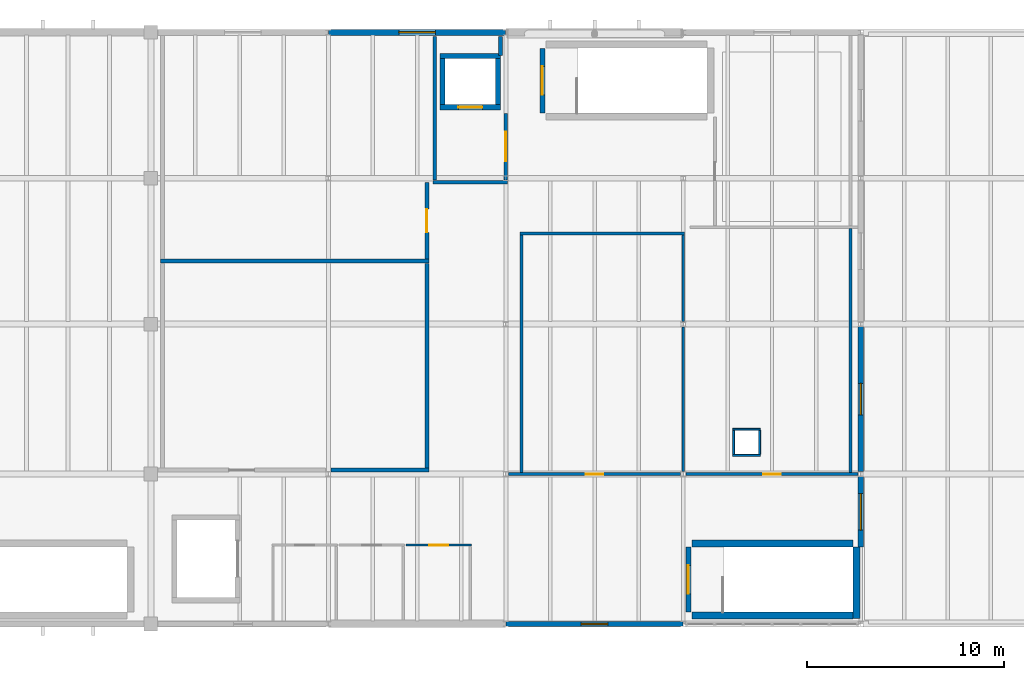
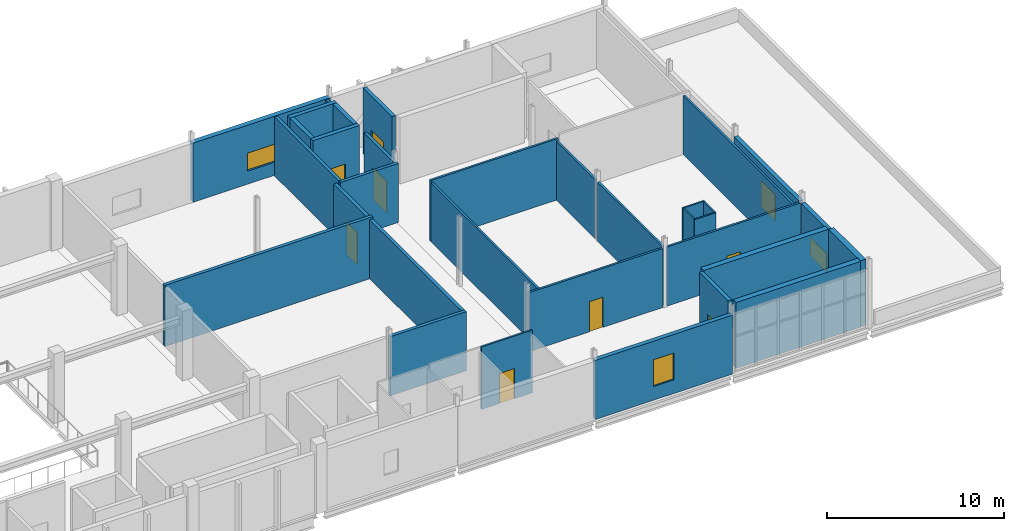
# One storey, part 12 of 14: 33 walls, 8 doors, 4 windows, 12 openings.
"""IFC4 building model written with IfcOpenShell, lengths in metres."""

from ifc_helpers import new_model, si_unit, direction, frame, frame_2d, origin, place, context, subcontext, project, spatial, rectangle, extrude, material, layer, layer_set, type_object, element, fill, save


model = new_model("IFC4")

# Units and contexts
model_context = context("Model", 3, precision=1e-05, world=origin(), true_north=direction((0.0, 1.0)))
body_context = subcontext(model_context, "Body", "Model", "MODEL_VIEW")
ifc_project = project(units=[si_unit("LENGTHUNIT", "METRE"), si_unit("AREAUNIT", "SQUARE_METRE"), si_unit("VOLUMEUNIT", "CUBIC_METRE"), si_unit("PLANEANGLEUNIT", "RADIAN"), si_unit("MASSUNIT", "GRAM", prefix="KILO")], contexts=[model_context])

# Site, building, storey
site_placement = place(None, origin())
site = spatial("IfcSite", under=ifc_project, at=site_placement, CompositionType="ELEMENT")
building_placement = place(site_placement, origin())
building = spatial("IfcBuilding", under=site, at=building_placement, Name="Shengluoqiao Park Theatre", CompositionType="ELEMENT")
storey_placement = place(building_placement, frame((0.0, 0.0, 23.800048828125)))
storey = spatial("IfcBuildingStorey", under=building, at=storey_placement, Name="L05", CompositionType="ELEMENT", Elevation=23.800048828125)

# Wall, opening, window
ifc_material_1 = material(Name="Concrete C40", Category="concrete")
ifc_layer_1 = layer(ifc_material_1, 0.27001953125, Name="Concrete C40")
ifc_layer_set_1 = layer_set([ifc_layer_1], Name="Concrete C40")
wall_type_1 = type_object("IfcWallType", Name="ENV-WL-CONC270", PredefinedType="STANDARD", material=ifc_layer_set_1)
wall_1_placement = place(storey_placement, frame((130.409912109375, 84.0, 0.0), z_axis=(0.0, 0.0, 1.0), x_axis=(1.0, 0.0, 0.0)))
wall_1 = element("IfcWall", 1, at=wall_1_placement, inside=storey, type_object=wall_type_1, Name="L05 Exterior Wall 0270", PredefinedType="STANDARD", context=body_context, shape_type="SweptSolid", body=[
    extrude(rectangle(XDim=8.97998046875, YDim=0.27001953125, at=frame_2d((4.489990234375, 0.0))), origin(), (0.0, 0.0, 1.0), 4.087890625),
])
opening_1_placement = place(wall_1_placement, frame((3.81494140625, 0.0, 0.949951171875)))
opening_1 = element("IfcOpeningElement", 2, at=opening_1_placement, cuts=wall_1, Name="Opening W-17", PredefinedType="OPENING", context=body_context, shape_type="SweptSolid", body=[
    extrude(rectangle(XDim=1.35009765625, YDim=1.85009765625, at=frame_2d((0.675048828125, 0.925048828125))), frame((0.0, 0.14501953125, 0.0), z_axis=(0.0, -1.0, 0.0), x_axis=(1.0, 0.0, 0.0)), (0.0, 0.0, 1.0), 0.2900390625),
])
ifc_material_2 = material(Name="Insulated glass", Category="glass")
window_type_1 = type_object("IfcWindowType", Name="ENV-WIN-W17", PartitioningType="SINGLE_PANEL", PredefinedType="WINDOW", material=ifc_material_2)
window_1_placement = place(opening_1_placement, origin())
window_1 = element("IfcWindow", 3, at=window_1_placement, inside=storey, type_object=window_type_1, Name="L05 Acoustic Window 0108", OverallHeight=1.85009765625, OverallWidth=1.35009765625, PartitioningType="SINGLE_PANEL", PredefinedType="WINDOW", context=body_context, shape_type="SweptSolid", body=[
    extrude(rectangle(XDim=1.35009765625, YDim=1.85009765625, at=frame_2d((0.675048828125, 0.925048828125))), frame((0.0, 0.030029296875, 0.0), z_axis=(0.0, -1.0, 0.0), x_axis=(1.0, 0.0, 0.0)), (0.0, 0.0, 1.0), 0.06005859375),
])
fill(opening_1, window_1)

wall_2_placement = place(storey_placement, frame((148.39990234375, 87.89990234375, 0.0), z_axis=(0.0, 0.0, 1.0), x_axis=(0.0, 1.0, 0.0)))
wall_2 = element("IfcWall", 4, at=wall_2_placement, inside=storey, type_object=wall_type_1, Name="L05 Exterior Wall 0271", PredefinedType="STANDARD", context=body_context, shape_type="SweptSolid", body=[
    extrude(rectangle(XDim=3.571044921875, YDim=0.27001953125, at=frame_2d((1.78564453125, 0.0))), origin(), (0.0, 0.0, 1.0), 4.087890625),
])
opening_2_placement = place(wall_2_placement, frame((0.860595703125, 0.0, 0.949951171875)))
opening_2 = element("IfcOpeningElement", 5, at=opening_2_placement, cuts=wall_2, Name="Opening W-11", PredefinedType="OPENING", context=body_context, shape_type="SweptSolid", body=[
    extrude(rectangle(XDim=1.85009765625, YDim=1.25, at=frame_2d((0.925048828125, 0.625))), frame((0.0, 0.14501953125, 0.0), z_axis=(0.0, -1.0, 0.0), x_axis=(1.0, 0.0, 0.0)), (0.0, 0.0, 1.0), 0.2900390625),
])
window_type_2 = type_object("IfcWindowType", Name="ENV-WIN-W11", PartitioningType="DOUBLE_PANEL_HORIZONTAL", PredefinedType="WINDOW", material=ifc_material_2)
window_2_placement = place(opening_2_placement, origin())
window_2 = element("IfcWindow", 6, at=window_2_placement, inside=storey, type_object=window_type_2, Name="L05 Acoustic Window 0109", OverallHeight=1.25, OverallWidth=1.85009765625, PartitioningType="DOUBLE_PANEL_HORIZONTAL", PredefinedType="WINDOW", context=body_context, shape_type="SweptSolid", body=[
    extrude(rectangle(XDim=1.85009765625, YDim=1.25, at=frame_2d((0.925048828125, 0.625))), frame((0.0, 0.030029296875, 0.0), z_axis=(0.0, -1.0, 0.0), x_axis=(1.0, 0.0, 0.0)), (0.0, 0.0, 1.0), 0.06005859375),
])
fill(opening_2, window_2)

wall_3_placement = place(storey_placement, frame((148.39990234375, 91.72900390625, 0.0), z_axis=(0.0, 0.0, 1.0), x_axis=(0.0, 1.0, 0.0)))
wall_3 = element("IfcWall", 7, at=wall_3_placement, inside=storey, type_object=wall_type_1, Name="L05 Exterior Wall 0272", PredefinedType="STANDARD", context=body_context, shape_type="SweptSolid", body=[
    extrude(rectangle(XDim=7.342041015625, YDim=0.27001953125, at=frame_2d((3.6708984375, 0.0))), origin(), (0.0, 0.0, 1.0), 4.087890625),
])
opening_3_placement = place(wall_3_placement, frame((2.87109375, 0.0, 0.949951171875)))
opening_3 = element("IfcOpeningElement", 8, at=opening_3_placement, cuts=wall_3, Name="Opening W-06", PredefinedType="OPENING", context=body_context, shape_type="SweptSolid", body=[
    extrude(rectangle(XDim=1.60009765625, YDim=1.800048828125, at=frame_2d((0.800048828125, 0.89990234375))), frame((0.0, 0.14501953125, 0.0), z_axis=(0.0, -1.0, 0.0), x_axis=(1.0, 0.0, 0.0)), (0.0, 0.0, 1.0), 0.2900390625),
])
window_type_3 = type_object("IfcWindowType", Name="ENV-WIN-W06", PartitioningType="DOUBLE_PANEL_VERTICAL", PredefinedType="WINDOW", material=ifc_material_2)
window_3_placement = place(opening_3_placement, origin())
window_3 = element("IfcWindow", 9, at=window_3_placement, inside=storey, type_object=window_type_3, Name="L05 Acoustic Window 0110", OverallHeight=1.800048828125, OverallWidth=1.60009765625, PartitioningType="DOUBLE_PANEL_VERTICAL", PredefinedType="WINDOW", context=body_context, shape_type="SweptSolid", body=[
    extrude(rectangle(XDim=1.60009765625, YDim=1.800048828125, at=frame_2d((0.800048828125, 0.89990234375))), frame((0.0, 0.030029296875, 0.0), z_axis=(0.0, -1.0, 0.0), x_axis=(1.0, 0.0, 0.0)), (0.0, 0.0, 1.0), 0.06005859375),
])
fill(opening_3, window_3)

ifc_layer_2 = layer(ifc_material_1, 0.31005859375, Name="Concrete C40")
ifc_layer_set_2 = layer_set([ifc_layer_2], Name="Concrete C40")
wall_type_2 = type_object("IfcWallType", Name="ENV-WL-CONC310", PredefinedType="STANDARD", material=ifc_layer_set_2)
wall_4_placement = place(storey_placement, frame((121.409912109375, 114.0, 0.0), z_axis=(0.0, 0.0, 1.0), x_axis=(1.0, 0.0, 0.0)))
wall_4 = element("IfcWall", 10, at=wall_4_placement, inside=storey, type_object=wall_type_2, Name="L05 Exterior Wall 0265", PredefinedType="STANDARD", context=body_context, shape_type="SweptSolid", body=[
    extrude(rectangle(XDim=8.97998046875, YDim=0.31005859375, at=frame_2d((4.489990234375, 0.0))), origin(), (0.0, 0.0, 1.0), 4.087890625),
])
opening_4_placement = place(wall_4_placement, frame((3.56494140625, 0.0, 0.89990234375)))
opening_4 = element("IfcOpeningElement", 11, at=opening_4_placement, cuts=wall_4, Name="Opening W-11", PredefinedType="OPENING", context=body_context, shape_type="SweptSolid", body=[
    extrude(rectangle(XDim=1.85009765625, YDim=1.25, at=frame_2d((0.925048828125, 0.625))), frame((0.0, 0.1650390625, 0.0), z_axis=(0.0, -1.0, 0.0), x_axis=(1.0, 0.0, 0.0)), (0.0, 0.0, 1.0), 0.330078125),
])
window_4_placement = place(opening_4_placement, origin())
window_4 = element("IfcWindow", 12, at=window_4_placement, inside=storey, type_object=window_type_2, Name="L05 Acoustic Window 0105", OverallHeight=1.25, OverallWidth=1.85009765625, PartitioningType="DOUBLE_PANEL_HORIZONTAL", PredefinedType="WINDOW", context=body_context, shape_type="SweptSolid", body=[
    extrude(rectangle(XDim=1.85009765625, YDim=1.25, at=frame_2d((0.925048828125, 0.625))), frame((0.0, 0.030029296875, 0.0), z_axis=(0.0, -1.0, 0.0), x_axis=(1.0, 0.0, 0.0)), (0.0, 0.0, 1.0), 0.06005859375),
])
fill(opening_4, window_4)

# Walls
ifc_material_3 = material(Name="Concrete blockwork B06", Category="masonry")
ifc_layer_3 = layer(ifc_material_3, 0.2099609375, Name="Concrete blockwork B06")
ifc_layer_set_3 = layer_set([ifc_layer_3], Name="Concrete blockwork B06")
wall_type_3 = type_object("IfcWallType", Name="INT-WL-CMP210", PredefinedType="PARTITIONING", material=ifc_layer_set_3)
wall_5_placement = place(storey_placement, frame((121.531005859375, 91.800048828125, 0.0), z_axis=(0.0, 0.0, 1.0), x_axis=(1.0, 0.0, 0.0)))
element("IfcWall", 13, at=wall_5_placement, inside=storey, type_object=wall_type_3, Name="Repertory Costume and Prop Archive Partition S", PredefinedType="PARTITIONING", context=body_context, shape_type="SweptSolid", body=[
    extrude(rectangle(XDim=4.973876953125, YDim=0.2099609375, at=frame_2d((2.48681640625, 0.0))), origin(), (0.0, 0.0, 1.0), 4.087890625),
])
wall_6_placement = place(storey_placement, frame((112.89501953125, 102.39990234375, 0.0), z_axis=(0.0, 0.0, 1.0), x_axis=(1.0, 0.0, 0.0)))
element("IfcWall", 14, at=wall_6_placement, inside=storey, type_object=wall_type_3, Name="Repertory Costume and Prop Archive Partition N", PredefinedType="PARTITIONING", context=body_context, shape_type="SweptSolid", body=[
    extrude(rectangle(XDim=13.60986328125, YDim=0.2099609375, at=frame_2d((6.804931640625, 0.0))), origin(), (0.0, 0.0, 1.0), 4.23388671875),
])
wall_7_placement = place(storey_placement, frame((126.39990234375, 91.910888671875, 0.0), z_axis=(0.0, 0.0, 1.0), x_axis=(0.0, 1.0, 0.0)))
element("IfcWall", 15, at=wall_7_placement, inside=storey, type_object=wall_type_3, Name="Repertory Costume and Prop Archive Partition E", PredefinedType="PARTITIONING", context=body_context, shape_type="SweptSolid", body=[
    extrude(rectangle(XDim=10.378173828125, YDim=0.2099609375, at=frame_2d((5.18896484375, 0.0))), origin(), (0.0, 0.0, 1.0), 4.087890625),
])

# Wall, opening, door
wall_8_placement = place(storey_placement, frame((126.39990234375, 102.512939453125, 0.0), z_axis=(0.0, 0.0, 1.0), x_axis=(0.0, 1.0, 0.0)))
wall_8 = element("IfcWall", 16, at=wall_8_placement, inside=storey, type_object=wall_type_3, Name="Acoustic Displacement Ventilation Plant Room Partition E", PredefinedType="PARTITIONING", context=body_context, shape_type="SweptSolid", body=[
    extrude(rectangle(XDim=3.87451171875, YDim=0.2099609375, at=frame_2d((1.937255859375, 0.0))), origin(), (0.0, 0.0, 1.0), 4.087890625),
])
opening_5_placement = place(wall_8_placement, frame((1.34716796875, 0.0, 0.0)))
opening_5 = element("IfcOpeningElement", 17, at=opening_5_placement, cuts=wall_8, Name="Opening D-L05-110", PredefinedType="OPENING", context=body_context, shape_type="SweptSolid", body=[
    extrude(rectangle(XDim=1.179931640625, YDim=2.219970703125, at=frame_2d((0.58984375, 1.10986328125))), frame((0.0, 0.114990234375, 0.0), z_axis=(0.0, -1.0, 0.0), x_axis=(1.0, 0.0, 0.0)), (0.0, 0.0, 1.0), 0.22998046875),
])
ifc_material_4 = material(Name="Steel Q355", Category="steel")
door_type_1 = type_object("IfcDoorType", Name="INT-DR-PLT118", OperationType="NOTDEFINED", PredefinedType="DOOR", material=ifc_material_4)
door_1_placement = place(opening_5_placement, origin())
door_1 = element("IfcDoor", 18, at=door_1_placement, inside=storey, type_object=door_type_1, Name="Acoustic Displacement Ventilation Plant Room Door D-L05-110", OperationType="SINGLE_SWING_LEFT", OverallHeight=2.219970703125, OverallWidth=1.179931640625, PredefinedType="DOOR", context=body_context, shape_type="SweptSolid", body=[
    extrude(rectangle(XDim=1.179931640625, YDim=2.219970703125, at=frame_2d((0.58984375, 1.10986328125))), frame((0.0, 0.02490234375, 0.0), z_axis=(0.0, -1.0, 0.0), x_axis=(1.0, 0.0, 0.0)), (0.0, 0.0, 1.0), 0.050048828125),
])
fill(opening_5, door_1)

# Walls
ifc_layer_4 = layer(ifc_material_3, 0.195068359375, Name="Concrete blockwork B06")
ifc_layer_set_4 = layer_set([ifc_layer_4], Name="Concrete blockwork B06")
wall_type_4 = type_object("IfcWallType", Name="INT-WL-FFL195", PredefinedType="PARTITIONING", material=ifc_layer_set_4)
wall_9_placement = place(storey_placement, frame((126.800048828125, 106.5048828125, 0.0), z_axis=(0.0, 0.0, 1.0), x_axis=(0.0, 1.0, 0.0)))
element("IfcWall", 19, at=wall_9_placement, inside=storey, type_object=wall_type_4, Name="L05 Firefighting Lift Lobby FF2 Fire Wall W", PredefinedType="PARTITIONING", context=body_context, shape_type="SweptSolid", body=[
    extrude(rectangle(XDim=7.275146484375, YDim=0.195068359375, at=frame_2d((3.6376953125, 0.0))), origin(), (0.0, 0.0, 1.0), 4.087890625),
])
wall_10_placement = place(storey_placement, frame((126.7099609375, 106.39990234375, 0.0), z_axis=(0.0, 0.0, 1.0), x_axis=(1.0, 0.0, 0.0)))
element("IfcWall", 20, at=wall_10_placement, inside=storey, type_object=wall_type_4, Name="L05 Firefighting Lift Lobby FF2 Fire Wall S", PredefinedType="PARTITIONING", context=body_context, shape_type="SweptSolid", body=[
    extrude(rectangle(XDim=3.780029296875, YDim=0.195068359375, at=frame_2d((1.89013671875, 0.0))), origin(), (0.0, 0.0, 1.0), 4.087890625),
])

# Wall, opening, door
wall_11_placement = place(storey_placement, frame((130.39990234375, 106.5048828125, 0.0), z_axis=(0.0, 0.0, 1.0), x_axis=(0.0, 1.0, 0.0)))
wall_11 = element("IfcWall", 21, at=wall_11_placement, inside=storey, type_object=wall_type_4, Name="L05 Firefighting Lift Lobby FF2 Fire Wall E", PredefinedType="PARTITIONING", context=body_context, shape_type="SweptSolid", body=[
    extrude(rectangle(XDim=3.39013671875, YDim=0.195068359375, at=frame_2d((1.695068359375, 0.0))), origin(), (0.0, 0.0, 1.0), 4.087890625),
])
opening_6_placement = place(wall_11_placement, frame((0.945068359375, 0.0, 0.0)))
opening_6 = element("IfcOpeningElement", 22, at=opening_6_placement, cuts=wall_11, Name="Opening FD-FFL-2-L05", PredefinedType="OPENING", context=body_context, shape_type="SweptSolid", body=[
    extrude(rectangle(XDim=1.5, YDim=2.199951171875, at=frame_2d((0.75, 1.10009765625))), frame((0.0, 0.107421875, 0.0), z_axis=(0.0, -1.0, 0.0), x_axis=(1.0, 0.0, 0.0)), (0.0, 0.0, 1.0), 0.215087890625),
])
door_type_2 = type_object("IfcDoorType", Name="INT-DR-FFL150", OperationType="DOUBLE_DOOR_SINGLE_SWING", PredefinedType="DOOR", material=ifc_material_4)
door_2_placement = place(opening_6_placement, origin())
door_2 = element("IfcDoor", 23, at=door_2_placement, inside=storey, type_object=door_type_2, Name="L05 Firefighting Lift Lobby FF2 Fire Door FD-FFL-2-L05", OperationType="DOUBLE_DOOR_SINGLE_SWING", OverallHeight=2.199951171875, OverallWidth=1.5, PredefinedType="DOOR", context=body_context, shape_type="SweptSolid", body=[
    extrude(rectangle(XDim=1.5, YDim=2.199951171875, at=frame_2d((0.75, 1.10009765625))), frame((0.0, 0.02490234375, 0.0), z_axis=(0.0, -1.0, 0.0), x_axis=(1.0, 0.0, 0.0)), (0.0, 0.0, 1.0), 0.050048828125),
])
fill(opening_6, door_2)

# Walls
wall_12_placement = place(storey_placement, frame((130.139892578125, 112.820068359375, 0.0), z_axis=(0.0, 0.0, 1.0), x_axis=(0.0, 1.0, 0.0)))
element("IfcWall", 24, at=wall_12_placement, inside=storey, type_object=wall_type_4, Name="L05 Firefighting Lift Lobby FF2 Fire Wall N", PredefinedType="PARTITIONING", context=body_context, shape_type="SweptSolid", body=[
    extrude(rectangle(XDim=0.9599609375, YDim=0.195068359375, at=frame_2d((0.47998046875, 0.0))), origin(), (0.0, 0.0, 1.0), 4.087890625),
])
ifc_material_5 = material(Name="Gypsum shaftwall", Category="gypsum")
ifc_layer_5 = layer(ifc_material_5, 0.094970703125, Name="Gypsum shaftwall")
ifc_layer_set_5 = layer_set([ifc_layer_5], Name="Gypsum shaftwall")
wall_type_5 = type_object("IfcWallType", Name="INT-WL-RSR095", PredefinedType="PARTITIONING", material=ifc_layer_set_5)
for number, where, z_axis, x_axis, name in (
    (25, (141.905029296875, 92.550048828125, 0.0), (0.0, 0.0, 1.0), (1.0, 0.0, 0.0), "L05 Service Riser Shaftwall 181"),
    (26, (141.905029296875, 93.8701171875, 0.0), (0.0, 0.0, 1.0), (1.0, 0.0, 0.0), "L05 Service Riser Shaftwall 182"),
):
    element("IfcWall", number, at=place(storey_placement, frame(where, z_axis=z_axis, x_axis=x_axis)), inside=storey, type_object=wall_type_5, Name=name, PredefinedType="PARTITIONING", context=body_context, shape_type="SweptSolid", body=[
        extrude(rectangle(XDim=1.409912109375, YDim=0.094970703125, at=frame_2d((0.705078125, 0.0))), origin(), (0.0, 0.0, 1.0), 4.56005859375),
    ])
for number, where, z_axis, x_axis, name in (
    (27, (141.949951171875, 92.60498046875, 0.0), (0.0, 0.0, 1.0), (0.0, 1.0, 0.0), "L05 Service Riser Shaftwall 183"),
    (28, (143.27001953125, 92.60498046875, 0.0), (0.0, 0.0, 1.0), (0.0, 1.0, 0.0), "L05 Service Riser Shaftwall 184"),
):
    element("IfcWall", number, at=place(storey_placement, frame(where, z_axis=z_axis, x_axis=x_axis)), inside=storey, type_object=wall_type_5, Name=name, PredefinedType="PARTITIONING", context=body_context, shape_type="SweptSolid", body=[
        extrude(rectangle(XDim=1.2099609375, YDim=0.094970703125, at=frame_2d((0.60498046875, 0.0))), origin(), (0.0, 0.0, 1.0), 4.56005859375),
    ])

# Wall, opening, door
ifc_layer_6 = layer(ifc_material_1, 0.260009765625, Name="Concrete C40")
ifc_layer_set_6 = layer_set([ifc_layer_6], Name="Concrete C40")
wall_type_6 = type_object("IfcWallType", Name="INT-WL-SHF260", PredefinedType="STANDARD", material=ifc_layer_set_6)
wall_13_placement = place(storey_placement, frame((127.070068359375, 110.199951171875, 0.0), z_axis=(0.0, 0.0, 1.0), x_axis=(1.0, 0.0, 0.0)))
wall_13 = element("IfcWall", 29, at=wall_13_placement, inside=storey, type_object=wall_type_6, Name="L05 FF2 Lift Shaft Wall South", PredefinedType="STANDARD", context=body_context, shape_type="SweptSolid", body=[
    extrude(rectangle(XDim=3.059814453125, YDim=0.260009765625, at=frame_2d((1.52978515625, 0.0))), origin(), (0.0, 0.0, 1.0), 4.56005859375),
])
opening_7_placement = place(wall_13_placement, frame((0.919921875, 0.0, 0.0)))
opening_7 = element("IfcOpeningElement", 30, at=opening_7_placement, cuts=wall_13, Name="Opening LD-FF2-L05", PredefinedType="OPENING", context=body_context, shape_type="SweptSolid", body=[
    extrude(rectangle(XDim=1.219970703125, YDim=2.199951171875, at=frame_2d((0.60986328125, 1.10009765625))), frame((0.0, 0.139892578125, 0.0), z_axis=(0.0, -1.0, 0.0), x_axis=(1.0, 0.0, 0.0)), (0.0, 0.0, 1.0), 0.280029296875),
])
ifc_material_6 = material(Name="Stainless steel 304", Category="steel")
door_type_3 = type_object("IfcDoorType", Name="INT-DR-LD122", OperationType="SLIDING_TO_RIGHT", PredefinedType="DOOR", material=ifc_material_6)
door_3_placement = place(opening_7_placement, origin())
door_3 = element("IfcDoor", 31, at=door_3_placement, inside=storey, type_object=door_type_3, Name="FF2 Lift Landing Door LD-FF2-L05", OperationType="SLIDING_TO_RIGHT", OverallHeight=2.199951171875, OverallWidth=1.219970703125, PredefinedType="DOOR", context=body_context, shape_type="SweptSolid", body=[
    extrude(rectangle(XDim=1.219970703125, YDim=2.199951171875, at=frame_2d((0.60986328125, 1.10009765625))), frame((0.0, 0.02490234375, 0.0), z_axis=(0.0, -1.0, 0.0), x_axis=(1.0, 0.0, 0.0)), (0.0, 0.0, 1.0), 0.050048828125),
])
fill(opening_7, door_3)

# Walls
wall_14_placement = place(storey_placement, frame((127.070068359375, 112.800048828125, 0.0), z_axis=(0.0, 0.0, 1.0), x_axis=(1.0, 0.0, 0.0)))
element("IfcWall", 32, at=wall_14_placement, inside=storey, type_object=wall_type_6, Name="L05 FF2 Lift Shaft Wall North", PredefinedType="STANDARD", context=body_context, shape_type="SweptSolid", body=[
    extrude(rectangle(XDim=3.059814453125, YDim=0.260009765625, at=frame_2d((1.52978515625, 0.0))), origin(), (0.0, 0.0, 1.0), 4.56005859375),
])
for number, where, z_axis, x_axis, name in (
    (33, (127.199951171875, 110.3359375, 0.0), (0.0, 0.0, 1.0), (0.0, 1.0, 0.0), "L05 FF2 Lift Shaft Wall West"),
    (34, (130.0, 110.3359375, 0.0), (0.0, 0.0, 1.0), (0.0, 1.0, 0.0), "L05 FF2 Lift Shaft Wall East"),
):
    element("IfcWall", number, at=place(storey_placement, frame(where, z_axis=z_axis, x_axis=x_axis)), inside=storey, type_object=wall_type_6, Name=name, PredefinedType="STANDARD", context=body_context, shape_type="SweptSolid", body=[
        extrude(rectangle(XDim=2.328125, YDim=0.260009765625, at=frame_2d((1.1640625, 0.0))), origin(), (0.0, 0.0, 1.0), 4.56005859375),
    ])

# Wall, opening, door
ifc_material_7 = material(Name="Gypsum board", Category="gypsum")
ifc_layer_7 = layer(ifc_material_7, 0.135009765625, Name="Gypsum board")
ifc_layer_set_7 = layer_set([ifc_layer_7], Name="Gypsum board")
wall_type_7 = type_object("IfcWallType", Name="INT-WL-STD135", PredefinedType="PARTITIONING", material=ifc_layer_set_7)
wall_15_placement = place(storey_placement, frame((130.532958984375, 91.60009765625, 0.0), z_axis=(0.0, 0.0, 1.0), x_axis=(1.0, 0.0, 0.0)))
wall_15 = element("IfcWall", 35, at=wall_15_placement, inside=storey, type_object=wall_type_7, Name="Artistic Direction and Dramaturgy Suite Partition S", PredefinedType="PARTITIONING", context=body_context, shape_type="SweptSolid", body=[
    extrude(rectangle(XDim=8.734130859375, YDim=0.135009765625, at=frame_2d((4.3671875, 0.0))), origin(), (0.0, 0.0, 1.0), 4.087890625),
])
opening_8_placement = place(wall_15_placement, frame((3.9169921875, 0.0, 0.0)))
opening_8 = element("IfcOpeningElement", 36, at=opening_8_placement, cuts=wall_15, Name="Opening D-L05-106", PredefinedType="OPENING", context=body_context, shape_type="SweptSolid", body=[
    extrude(rectangle(XDim=0.89990234375, YDim=2.080078125, at=frame_2d((0.449951171875, 1.0400390625))), frame((0.0, 0.077392578125, 0.0), z_axis=(0.0, -1.0, 0.0), x_axis=(1.0, 0.0, 0.0)), (0.0, 0.0, 1.0), 0.155029296875),
])
ifc_material_8 = material(Name="Timber veneer", Category="wood")
door_type_4 = type_object("IfcDoorType", Name="INT-DR-OFF090", OperationType="NOTDEFINED", PredefinedType="DOOR", material=ifc_material_8)
door_4_placement = place(opening_8_placement, origin())
door_4 = element("IfcDoor", 37, at=door_4_placement, inside=storey, type_object=door_type_4, Name="Artistic Direction and Dramaturgy Suite Door D-L05-106", OperationType="SINGLE_SWING_LEFT", OverallHeight=2.080078125, OverallWidth=0.89990234375, PredefinedType="DOOR", context=body_context, shape_type="SweptSolid", body=[
    extrude(rectangle(XDim=0.89990234375, YDim=2.080078125, at=frame_2d((0.449951171875, 1.0400390625))), frame((0.0, 0.02490234375, 0.0), z_axis=(0.0, -1.0, 0.0), x_axis=(1.0, 0.0, 0.0)), (0.0, 0.0, 1.0), 0.050048828125),
])
fill(opening_8, door_4)

# Walls
wall_16_placement = place(storey_placement, frame((131.132568359375, 103.800048828125, 0.0), z_axis=(0.0, 0.0, 1.0), x_axis=(1.0, 0.0, 0.0)))
element("IfcWall", 38, at=wall_16_placement, inside=storey, type_object=wall_type_7, Name="Artistic Direction and Dramaturgy Suite Partition N", PredefinedType="PARTITIONING", context=body_context, shape_type="SweptSolid", body=[
    extrude(rectangle(XDim=8.3349609375, YDim=0.135009765625, at=frame_2d((4.16748046875, 0.0))), origin(), (0.0, 0.0, 1.0), 4.23388671875),
])
wall_17_placement = place(storey_placement, frame((139.39990234375, 91.73291015625, 0.0), z_axis=(0.0, 0.0, 1.0), x_axis=(0.0, 1.0, 0.0)))
element("IfcWall", 39, at=wall_17_placement, inside=storey, type_object=wall_type_7, Name="Artistic Direction and Dramaturgy Suite Partition E", PredefinedType="PARTITIONING", context=body_context, shape_type="SweptSolid", body=[
    extrude(rectangle(XDim=7.336181640625, YDim=0.135009765625, at=frame_2d((3.66796875, 0.0))), origin(), (0.0, 0.0, 1.0), 4.087890625),
])
wall_18_placement = place(storey_placement, frame((131.199951171875, 91.673583984375, 0.0), z_axis=(0.0, 0.0, 1.0), x_axis=(0.0, 1.0, 0.0)))
element("IfcWall", 40, at=wall_18_placement, inside=storey, type_object=wall_type_7, Name="Artistic Direction and Dramaturgy Suite Partition W", PredefinedType="PARTITIONING", context=body_context, shape_type="SweptSolid", body=[
    extrude(rectangle(XDim=12.052978515625, YDim=0.135009765625, at=frame_2d((6.0263671875, 0.0))), origin(), (0.0, 0.0, 1.0), 4.087890625),
])
wall_19_placement = place(storey_placement, frame((139.39990234375, 99.3310546875, 0.0), z_axis=(0.0, 0.0, 1.0), x_axis=(0.0, 1.0, 0.0)))
element("IfcWall", 41, at=wall_19_placement, inside=storey, type_object=wall_type_7, Name="Artistic Direction and Dramaturgy Suite Partition E", PredefinedType="PARTITIONING", context=body_context, shape_type="SweptSolid", body=[
    extrude(rectangle(XDim=4.3955078125, YDim=0.135009765625, at=frame_2d((2.19775390625, 0.0))), origin(), (0.0, 0.0, 1.0), 4.087890625),
])

# Wall, opening, door
wall_20_placement = place(storey_placement, frame((139.532958984375, 91.60009765625, 0.0), z_axis=(0.0, 0.0, 1.0), x_axis=(1.0, 0.0, 0.0)))
wall_20 = element("IfcWall", 42, at=wall_20_placement, inside=storey, type_object=wall_type_7, Name="Production Planning and Stage Management Office Partition S", PredefinedType="PARTITIONING", context=body_context, shape_type="SweptSolid", body=[
    extrude(rectangle(XDim=8.72412109375, YDim=0.135009765625, at=frame_2d((4.362060546875, 0.0))), origin(), (0.0, 0.0, 1.0), 4.087890625),
])
opening_9_placement = place(wall_20_placement, frame((3.912109375, 0.0, 0.0)))
opening_9 = element("IfcOpeningElement", 43, at=opening_9_placement, cuts=wall_20, Name="Opening D-L05-107", PredefinedType="OPENING", context=body_context, shape_type="SweptSolid", body=[
    extrude(rectangle(XDim=0.89990234375, YDim=2.080078125, at=frame_2d((0.449951171875, 1.0400390625))), frame((0.0, 0.077392578125, 0.0), z_axis=(0.0, -1.0, 0.0), x_axis=(1.0, 0.0, 0.0)), (0.0, 0.0, 1.0), 0.155029296875),
])
door_5_placement = place(opening_9_placement, origin())
door_5 = element("IfcDoor", 44, at=door_5_placement, inside=storey, type_object=door_type_4, Name="Production Planning and Stage Management Office Door D-L05-107", OperationType="SINGLE_SWING_RIGHT", OverallHeight=2.080078125, OverallWidth=0.89990234375, PredefinedType="DOOR", context=body_context, shape_type="SweptSolid", body=[
    extrude(rectangle(XDim=0.89990234375, YDim=2.080078125, at=frame_2d((0.449951171875, 1.0400390625))), frame((0.0, 0.02490234375, 0.0), z_axis=(0.0, -1.0, 0.0), x_axis=(1.0, 0.0, 0.0)), (0.0, 0.0, 1.0), 0.050048828125),
])
fill(opening_9, door_5)

# Wall
wall_21_placement = place(storey_placement, frame((147.8798828125, 91.673583984375, 0.0), z_axis=(0.0, 0.0, 1.0), x_axis=(0.0, 1.0, 0.0)))
element("IfcWall", 45, at=wall_21_placement, inside=storey, type_object=wall_type_7, Name="Production Planning and Stage Management Office Partition E", PredefinedType="PARTITIONING", context=body_context, shape_type="SweptSolid", body=[
    extrude(rectangle(XDim=12.372802734375, YDim=0.135009765625, at=frame_2d((6.1865234375, 0.0))), origin(), (0.0, 0.0, 1.0), 4.087890625),
])

# Wall, opening, door
ifc_layer_8 = layer(ifc_material_1, 0.239990234375, Name="Concrete C40")
ifc_layer_set_8 = layer_set([ifc_layer_8], Name="Concrete C40")
wall_type_8 = type_object("IfcWallType", Name="INT-WL-STW240", PredefinedType="STANDARD", material=ifc_layer_set_8)
wall_22_placement = place(storey_placement, frame((132.260009765625, 109.909912109375, 0.0), z_axis=(0.0, 0.0, 1.0), x_axis=(0.0, 1.0, 0.0)))
wall_22 = element("IfcWall", 46, at=wall_22_placement, inside=storey, type_object=wall_type_8, Name="L05 ST-06 Stairwell Fire Wall", PredefinedType="STANDARD", context=body_context, shape_type="SweptSolid", body=[
    extrude(rectangle(XDim=3.280029296875, YDim=0.239990234375, at=frame_2d((1.64013671875, 0.0))), origin(), (0.0, 0.0, 1.0), 4.56005859375),
])
opening_10_placement = place(wall_22_placement, frame((0.9150390625, 0.0, 0.0)))
opening_10 = element("IfcOpeningElement", 47, at=opening_10_placement, cuts=wall_22, Name="Opening SD-06-L05", PredefinedType="OPENING", context=body_context, shape_type="SweptSolid", body=[
    extrude(rectangle(XDim=1.449951171875, YDim=2.199951171875, at=frame_2d((0.72509765625, 1.10009765625))), frame((0.0, 0.1298828125, 0.0), z_axis=(0.0, -1.0, 0.0), x_axis=(1.0, 0.0, 0.0)), (0.0, 0.0, 1.0), 0.260009765625),
])
door_type_5 = type_object("IfcDoorType", Name="INT-DR-STW145", OperationType="DOUBLE_DOOR_SINGLE_SWING", PredefinedType="DOOR", material=ifc_material_4)
door_6_placement = place(opening_10_placement, origin())
door_6 = element("IfcDoor", 48, at=door_6_placement, inside=storey, type_object=door_type_5, Name="L05 ST-06 Escape Stair Door SD-06-L05", OperationType="DOUBLE_DOOR_SINGLE_SWING", OverallHeight=2.199951171875, OverallWidth=1.449951171875, PredefinedType="DOOR", context=body_context, shape_type="SweptSolid", body=[
    extrude(rectangle(XDim=1.449951171875, YDim=2.199951171875, at=frame_2d((0.72509765625, 1.10009765625))), frame((0.0, 0.02490234375, 0.0), z_axis=(0.0, -1.0, 0.0), x_axis=(1.0, 0.0, 0.0)), (0.0, 0.0, 1.0), 0.050048828125),
])
fill(opening_10, door_6)

wall_23_placement = place(storey_placement, frame((139.659912109375, 84.610107421875, 0.0), z_axis=(0.0, 0.0, 1.0), x_axis=(0.0, 1.0, 0.0)))
wall_23 = element("IfcWall", 49, at=wall_23_placement, inside=storey, type_object=wall_type_8, Name="L05 ST-10 Stairwell Fire Wall", PredefinedType="STANDARD", context=body_context, shape_type="SweptSolid", body=[
    extrude(rectangle(XDim=3.27978515625, YDim=0.239990234375, at=frame_2d((1.639892578125, 0.0))), origin(), (0.0, 0.0, 1.0), 4.56005859375),
])
opening_11_placement = place(wall_23_placement, frame((0.9150390625, 0.0, 0.0)))
opening_11 = element("IfcOpeningElement", 50, at=opening_11_placement, cuts=wall_23, Name="Opening SD-10-L05", PredefinedType="OPENING", context=body_context, shape_type="SweptSolid", body=[
    extrude(rectangle(XDim=1.449951171875, YDim=2.199951171875, at=frame_2d((0.72509765625, 1.10009765625))), frame((0.0, 0.1298828125, 0.0), z_axis=(0.0, -1.0, 0.0), x_axis=(1.0, 0.0, 0.0)), (0.0, 0.0, 1.0), 0.260009765625),
])
door_7_placement = place(opening_11_placement, origin())
door_7 = element("IfcDoor", 51, at=door_7_placement, inside=storey, type_object=door_type_5, Name="L05 ST-10 Escape Stair Door SD-10-L05", OperationType="DOUBLE_DOOR_SINGLE_SWING", OverallHeight=2.199951171875, OverallWidth=1.449951171875, PredefinedType="DOOR", context=body_context, shape_type="SweptSolid", body=[
    extrude(rectangle(XDim=1.449951171875, YDim=2.199951171875, at=frame_2d((0.72509765625, 1.10009765625))), frame((0.0, 0.02490234375, 0.0), z_axis=(0.0, -1.0, 0.0), x_axis=(1.0, 0.0, 0.0)), (0.0, 0.0, 1.0), 0.050048828125),
])
fill(opening_11, door_7)

ifc_material_9 = material(Name="Moisture-resistant board")
ifc_layer_9 = layer(ifc_material_9, 0.114990234375, Name="Moisture-resistant board")
ifc_layer_set_9 = layer_set([ifc_layer_9], Name="Moisture-resistant board")
wall_type_9 = type_object("IfcWallType", Name="INT-WL-WCP115", PredefinedType="PARTITIONING", material=ifc_layer_set_9)
wall_24_placement = place(storey_placement, frame((125.3349609375, 88.0, 0.0), z_axis=(0.0, 0.0, 1.0), x_axis=(1.0, 0.0, 0.0)))
wall_24 = element("IfcWall", 52, at=wall_24_placement, inside=storey, type_object=wall_type_9, Name="Fifth Floor Staff Female WC Partition N", PredefinedType="PARTITIONING", context=body_context, shape_type="SweptSolid", body=[
    extrude(rectangle(XDim=3.322509765625, YDim=0.114990234375, at=frame_2d((1.6611328125, 0.0))), origin(), (0.0, 0.0, 1.0), 4.327880859375),
])
opening_12_placement = place(wall_24_placement, frame((1.181396484375, 0.0, 0.0)))
opening_12 = element("IfcOpeningElement", 53, at=opening_12_placement, cuts=wall_24, Name="Opening D-L05-103", PredefinedType="OPENING", context=body_context, shape_type="SweptSolid", body=[
    extrude(rectangle(XDim=0.9599609375, YDim=2.080078125, at=frame_2d((0.47998046875, 1.0400390625))), frame((0.0, 0.0673828125, 0.0), z_axis=(0.0, -1.0, 0.0), x_axis=(1.0, 0.0, 0.0)), (0.0, 0.0, 1.0), 0.135009765625),
])
ifc_material_10 = material(Name="Moisture-resistant laminate")
door_type_6 = type_object("IfcDoorType", Name="INT-DR-ACC096", OperationType="NOTDEFINED", PredefinedType="DOOR", material=ifc_material_10)
door_8_placement = place(opening_12_placement, origin())
door_8 = element("IfcDoor", 54, at=door_8_placement, inside=storey, type_object=door_type_6, Name="Fifth Floor Staff Female WC Door D-L05-103", OperationType="SINGLE_SWING_RIGHT", OverallHeight=2.080078125, OverallWidth=0.9599609375, PredefinedType="DOOR", context=body_context, shape_type="SweptSolid", body=[
    extrude(rectangle(XDim=0.9599609375, YDim=2.080078125, at=frame_2d((0.47998046875, 1.0400390625))), frame((0.0, 0.02490234375, 0.0), z_axis=(0.0, -1.0, 0.0), x_axis=(1.0, 0.0, 0.0)), (0.0, 0.0, 1.0), 0.050048828125),
])
fill(opening_12, door_8)

# Walls
ifc_material_11 = material(Name="Concrete C50", Category="concrete")
ifc_layer_10 = layer(ifc_material_11, 0.35009765625, Name="Concrete C50")
ifc_layer_set_10 = layer_set([ifc_layer_10], Name="Concrete C50")
wall_type_10 = type_object("IfcWallType", Name="STR-SW-CORE350", PredefinedType="SHEAR", material=ifc_layer_set_10)
wall_25_placement = place(storey_placement, frame((139.85009765625, 84.419921875, 0.0), z_axis=(0.0, 0.0, 1.0), x_axis=(1.0, 0.0, 0.0)))
element("IfcWall", 55, at=wall_25_placement, inside=storey, type_object=wall_type_10, Name="L05 ST-10 Core Left Shear Wall 0145", PredefinedType="SHEAR", context=body_context, shape_type="SweptSolid", body=[
    extrude(rectangle(XDim=8.14990234375, YDim=0.35009765625, at=frame_2d((4.074951171875, 0.0))), origin(), (0.0, 0.0, 1.0), 4.56005859375),
])
wall_26_placement = place(storey_placement, frame((148.179931640625, 84.280029296875, 0.0), z_axis=(0.0, 0.0, 1.0), x_axis=(0.0, 1.0, 0.0)))
element("IfcWall", 56, at=wall_26_placement, inside=storey, type_object=wall_type_10, Name="L05 ST-10 Core Far Shear Wall 0146", PredefinedType="SHEAR", context=body_context, shape_type="SweptSolid", body=[
    extrude(rectangle(XDim=3.619873046875, YDim=0.35009765625, at=frame_2d((1.81005859375, 0.0))), origin(), (0.0, 0.0, 1.0), 4.56005859375),
])
wall_27_placement = place(storey_placement, frame((148.0, 88.080078125, 0.0), z_axis=(0.0, 0.0, 1.0), x_axis=(-1.0, 0.0, 0.0)))
element("IfcWall", 57, at=wall_27_placement, inside=storey, type_object=wall_type_10, Name="L05 ST-10 Core Right Shear Wall 0147", PredefinedType="SHEAR", context=body_context, shape_type="SweptSolid", body=[
    extrude(rectangle(XDim=8.14990234375, YDim=0.35009765625, at=frame_2d((4.074951171875, 0.0))), origin(), (0.0, 0.0, 1.0), 4.56005859375),
])

save(model, "model.ifc")
